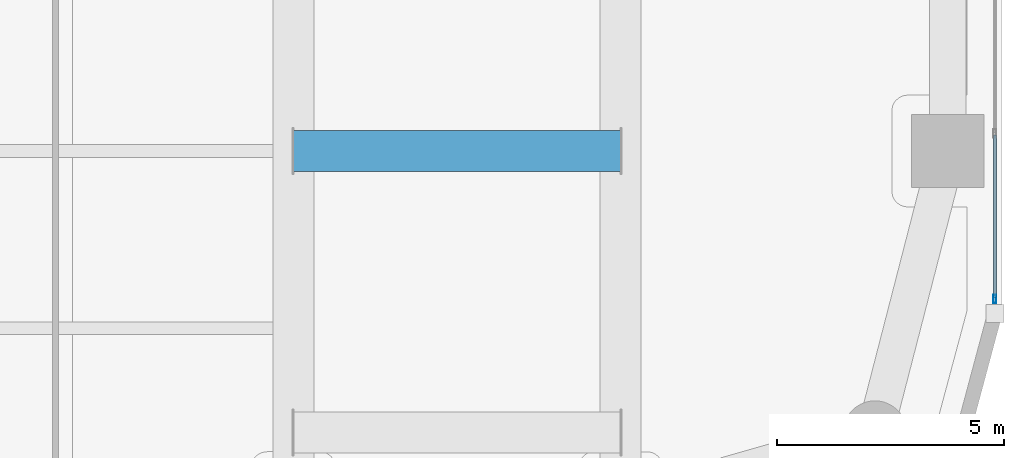
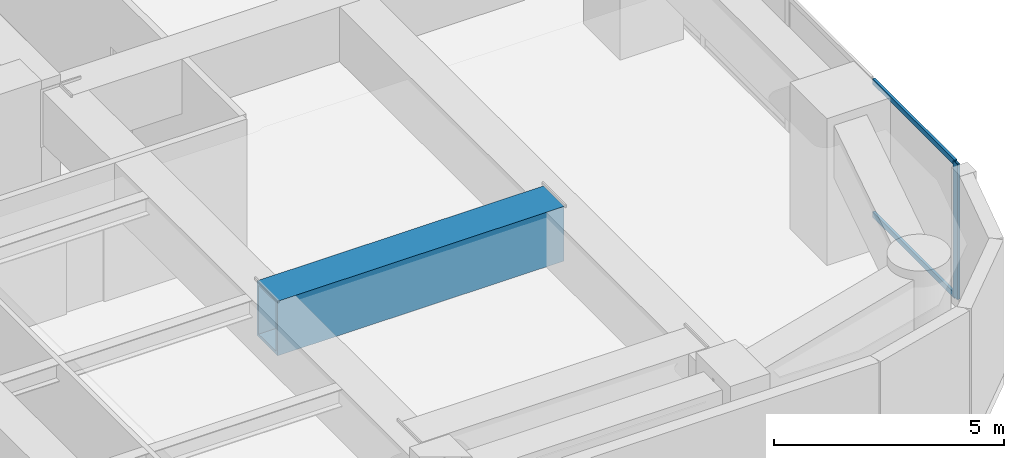
# One storey, part 4 of 28: 3 members, 1 beam, 1 element without a shape of its own.
"""IFC4 building model written with IfcOpenShell, lengths in metres."""

from ifc_helpers import new_model, si_unit, direction, frame, origin, origin_2d, place, context, subcontext, project, spatial, hollow_rectangle, extrude, material, layer, layer_set, material_profile, profile_set, type_object, element, aggregate, save


model = new_model("IFC4")

# Units and contexts
model_context = context("Model", 3, precision=1e-05, world=origin(), true_north=direction((0.0, 1.0)))
body_context = subcontext(model_context, "Body", "Model", "MODEL_VIEW")
ifc_project = project(units=[si_unit("LENGTHUNIT", "METRE"), si_unit("AREAUNIT", "SQUARE_METRE"), si_unit("VOLUMEUNIT", "CUBIC_METRE"), si_unit("PLANEANGLEUNIT", "RADIAN"), si_unit("MASSUNIT", "GRAM", prefix="KILO")], contexts=[model_context])

# Site, building, storey
site_placement = place(None, origin())
site = spatial("IfcSite", under=ifc_project, at=site_placement, CompositionType="ELEMENT")
building_placement = place(site_placement, origin())
building = spatial("IfcBuilding", under=site, at=building_placement, Name="Kiyonajd Concourse Tower", CompositionType="ELEMENT")
storey_placement = place(building_placement, frame((0.0, 0.0, 76.800048828125)))
storey = spatial("IfcBuildingStorey", under=building, at=storey_placement, Name="L20", CompositionType="ELEMENT", Elevation=76.800048828125)

# Beam
ifc_material_1 = material(Name="Steel ASTM A572 Grade 50", Category="steel")
ifc_material_profile_1 = material_profile(ifc_material_1, hollow_rectangle(XDim=0.89990234375, YDim=1.449951171875, WallThickness=0.074951171875, at=origin_2d()), Name="BOX-1450x900x75")
ifc_profile_set_1 = profile_set([ifc_material_profile_1], Name="Steel ASTM A572 Grade 50")
beam_type = type_object("IfcBeamType", Name="BM-XFER-1800", PredefinedType="BEAM", material=ifc_profile_set_1)
beam_placement = place(storey_placement, frame((63.60009765625, 18.60009765625, 2.875), z_axis=(1.0, 0.0, 0.0), x_axis=(0.0, 1.0, 0.0)))
element("IfcBeam", 1, at=beam_placement, inside=storey, type_object=beam_type, Name="L20 Column Transfer Girder", PredefinedType="BEAM", context=body_context, shape_type="SweptSolid", body=[
    extrude(hollow_rectangle(XDim=0.89990234375, YDim=1.449951171875, WallThickness=0.074951171875, at=origin_2d()), origin(), (0.0, 0.0, 1.0), 7.199951171875),
])

# Curtain wall, members
ifc_material_2 = material(Name="Thermally Broken Anodised Aluminium", Category="aluminium")
ifc_layer = layer(ifc_material_2, 0.179931640625)
ifc_layer_set = layer_set([ifc_layer], Name="Thermally Broken Anodised Aluminium")
curtain_wall_type = type_object("IfcCurtainWallType", Name="CW-SYS-02", PredefinedType="NOTDEFINED", material=ifc_layer_set)
curtain_wall_placement = place(storey_placement, origin())
curtain_wall = element("IfcCurtainWall", 2, at=curtain_wall_placement, inside=storey, type_object=curtain_wall_type, Name="L20 Unitised Curtain Wall CW2", PredefinedType="NOTDEFINED")
ifc_material_profile_2 = material_profile(ifc_material_2, hollow_rectangle(XDim=0.06494140625, YDim=0.179931640625, WallThickness=0.00390625, at=origin_2d()), Name="MULL-65x180")
ifc_profile_set_2 = profile_set([ifc_material_profile_2], Name="Thermally Broken Anodised Aluminium")
member_type_1 = type_object("IfcMemberType", Name="MB-CW-MULL1", PredefinedType="MULLION", material=ifc_profile_set_2)
member_1_placement = place(storey_placement, frame((79.0400390625, 15.343505859375, 0.0), z_axis=(0.0, 0.0, 1.0), x_axis=(1.0, 0.0, 0.0)))
member_1 = element("IfcMember", 3, at=member_1_placement, type_object=member_type_1, Name="CW2 mullion 7", PredefinedType="MULLION", context=body_context, shape_type="SweptSolid", body=[
    extrude(hollow_rectangle(XDim=0.06494140625, YDim=0.179931640625, WallThickness=0.00390625, at=origin_2d()), origin(), (0.0, 0.0, 1.0), 3.599853515625),
])
ifc_material_profile_3 = material_profile(ifc_material_2, hollow_rectangle(XDim=0.06494140625, YDim=0.139892578125, WallThickness=0.00390625, at=origin_2d()), Name="TRAN-65x140")
ifc_profile_set_3 = profile_set([ifc_material_profile_3], Name="Thermally Broken Anodised Aluminium")
member_type_2 = type_object("IfcMemberType", Name="MB-CW-TRAN1", PredefinedType="USERDEFINED", material=ifc_profile_set_3)
member_2_placement = place(storey_placement, frame((79.0400390625, 18.95166015625, 0.032470703125), z_axis=(0.0, -1.0, 0.0), x_axis=(1.0, 0.0, 0.0)))
member_2 = element("IfcMember", 4, at=member_2_placement, type_object=member_type_2, Name="CW2 transom 6.1", ObjectType="TRANSOM", PredefinedType="USERDEFINED", context=body_context, shape_type="SweptSolid", body=[
    extrude(hollow_rectangle(XDim=0.06494140625, YDim=0.139892578125, WallThickness=0.00390625, at=origin_2d()), origin(), (0.0, 0.0, 1.0), 3.575439453125),
])
member_3_placement = place(storey_placement, frame((79.0400390625, 18.95166015625, 3.5673828125), z_axis=(0.0, -1.0, 0.0), x_axis=(1.0, 0.0, 0.0)))
member_3 = element("IfcMember", 5, at=member_3_placement, type_object=member_type_2, Name="CW2 transom 6.2", ObjectType="TRANSOM", PredefinedType="USERDEFINED", context=body_context, shape_type="SweptSolid", body=[
    extrude(hollow_rectangle(XDim=0.06494140625, YDim=0.139892578125, WallThickness=0.00390625, at=origin_2d()), origin(), (0.0, 0.0, 1.0), 3.575439453125),
])
aggregate(curtain_wall, [member_1, member_2, member_3])

save(model, "model.ifc")
